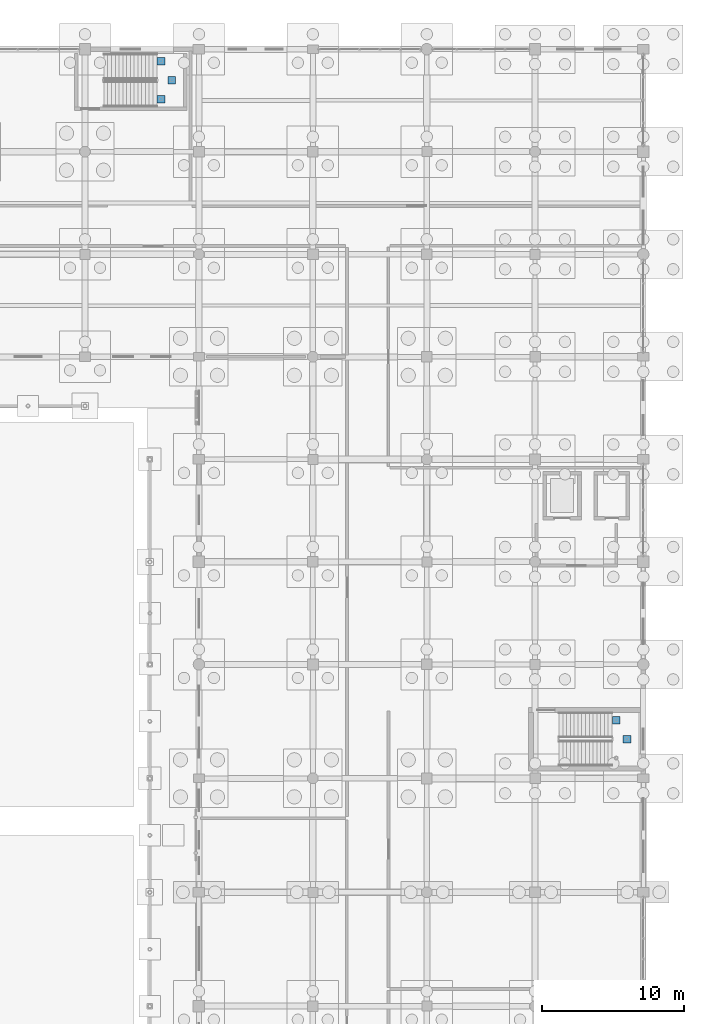
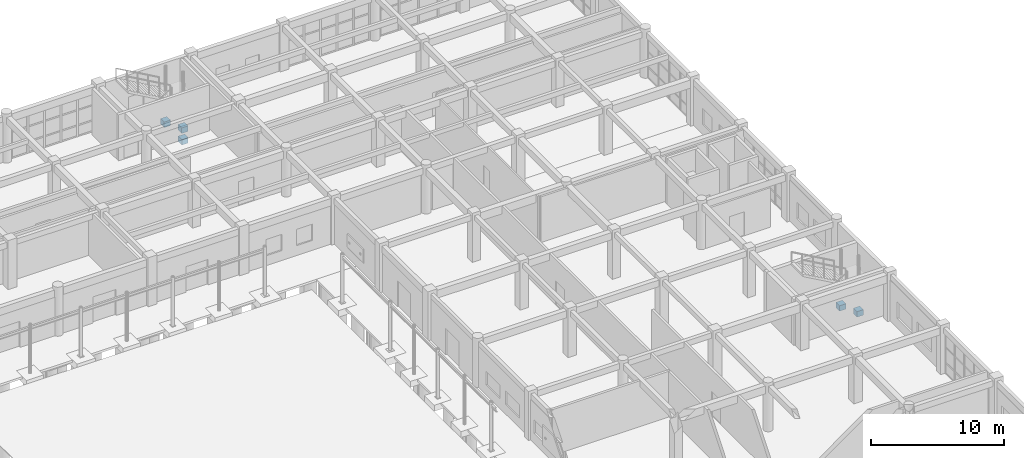
# One storey, part 11 of 166: 5 footings.
"""IFC4 building model written with IfcOpenShell, lengths in metres."""

from ifc_helpers import new_model, si_unit, direction, frame, origin, origin_2d, place, context, subcontext, project, spatial, rectangle, extrude, material, type_object, element, save


model = new_model("IFC4")

# Units and contexts
model_context = context("Model", 3, precision=1e-05, world=origin(), true_north=direction((0.0, 1.0)))
body_context = subcontext(model_context, "Body", "Model", "MODEL_VIEW")
ifc_project = project(units=[si_unit("LENGTHUNIT", "METRE"), si_unit("AREAUNIT", "SQUARE_METRE"), si_unit("VOLUMEUNIT", "CUBIC_METRE"), si_unit("PLANEANGLEUNIT", "RADIAN"), si_unit("MASSUNIT", "GRAM", prefix="KILO")], contexts=[model_context])

# Site, building, storey
site_placement = place(None, origin())
site = spatial("IfcSite", under=ifc_project, at=site_placement, CompositionType="ELEMENT")
building_placement = place(site_placement, origin())
building = spatial("IfcBuilding", under=site, at=building_placement, Name="Kharva Crest Polytechnic", CompositionType="ELEMENT")
storey_placement = place(building_placement, origin())
storey = spatial("IfcBuildingStorey", under=building, at=storey_placement, Name="L00", CompositionType="ELEMENT", Elevation=0.0)

# Footings
ifc_material = material(Name="Concrete C35/45", Category="concrete")
footing_type = type_object("IfcFootingType", Name="FTG-PAD-1500X1500", PredefinedType="PAD_FOOTING", material=ifc_material)
for number, where, z_axis, x_axis, name in (
    (1, (182.10009765625, 74.8798828125, -0.905029296875), (0.0, 0.0, 1.0), (1.0, 0.0, 0.0), "L00 Stair ST-05 Landing Pad NW"),
    (2, (182.85009765625, 73.550048828125, -0.905029296875), (0.0, 0.0, 1.0), (1.0, 0.0, 0.0), "L00 Stair ST-05 Landing Pad EM"),
    (3, (150.139892578125, 118.489990234375, -0.905029296875), (0.0, 0.0, 1.0), (1.0, 0.0, 0.0), "L00 Stair ST-09 Landing Pad SW"),
    (4, (150.139892578125, 121.14990234375, -0.905029296875), (0.0, 0.0, 1.0), (1.0, 0.0, 0.0), "L00 Stair ST-09 Landing Pad NW"),
    (5, (150.889892578125, 119.820068359375, -0.905029296875), (0.0, 0.0, 1.0), (1.0, 0.0, 0.0), "L00 Stair ST-09 Landing Pad EM"),
):
    element("IfcFooting", number, at=place(storey_placement, frame(where, z_axis=z_axis, x_axis=x_axis)), inside=storey, type_object=footing_type, Name=name, PredefinedType="PAD_FOOTING", context=body_context, shape_type="SweptSolid", body=[
        extrude(rectangle(XDim=0.550048828125, YDim=0.550048828125, at=origin_2d()), origin(), (0.0, 0.0, 1.0), 0.5),
    ])

save(model, "model.ifc")
